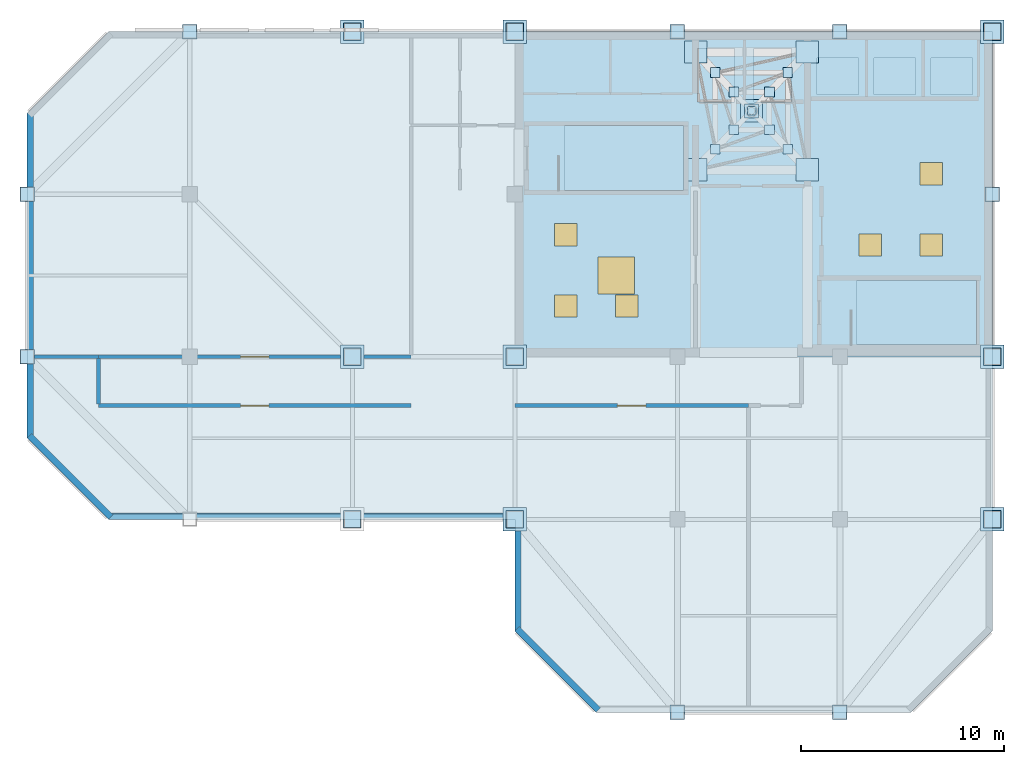
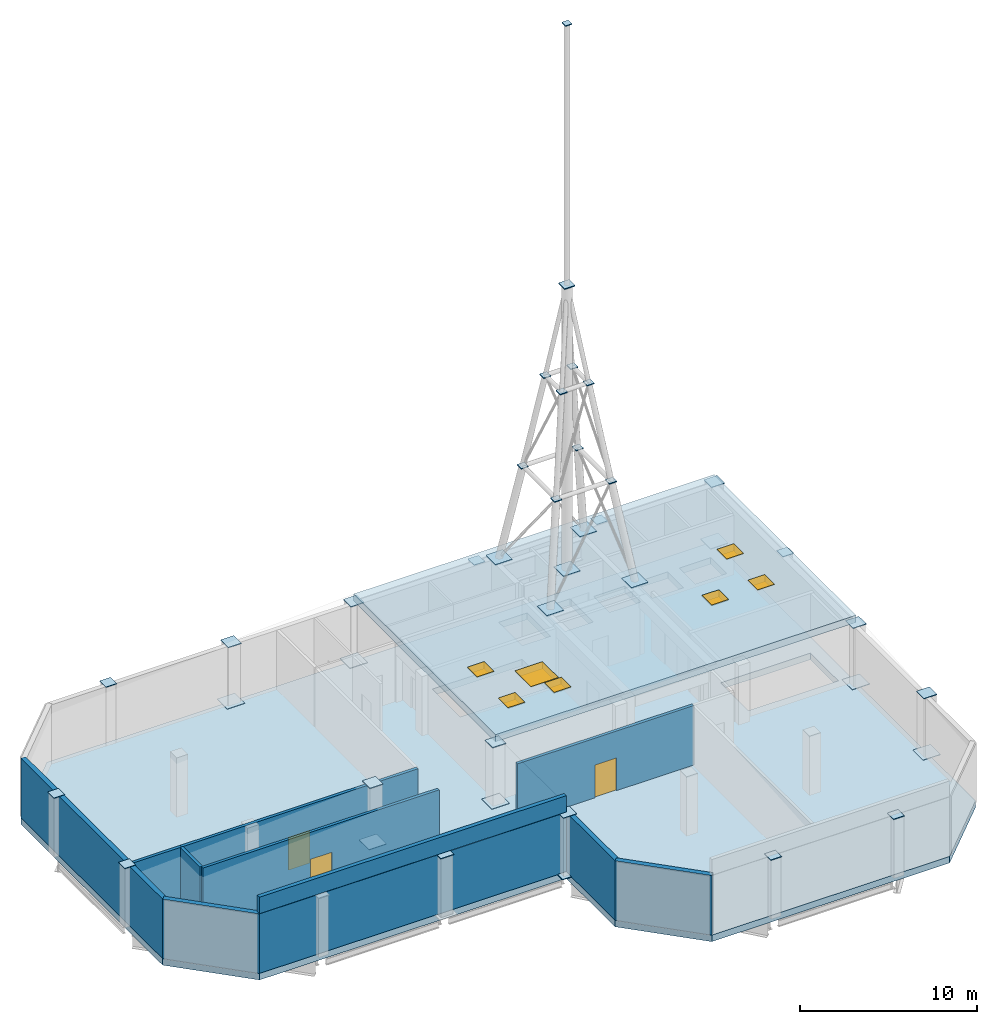
# One storey, part 4 of 7: 40 plates, 11 walls, 9 doors, 2 slabs, 1 window, 10 openings.
"""IFC4 building model written with IfcOpenShell, lengths in metres."""

from ifc_helpers import new_model, si_unit, direction, frame, frame_2d, origin, origin_2d, place, context, subcontext, project, spatial, polyline, rectangle, outline, extrude, material, layer, layer_set, type_object, element, fill, save


model = new_model("IFC4")

# Units and contexts
model_context = context("Model", 3, precision=1e-05, world=origin(), true_north=direction((0.0, 1.0)))
body_context = subcontext(model_context, "Body", "Model", "MODEL_VIEW")
ifc_project = project(units=[si_unit("LENGTHUNIT", "METRE"), si_unit("AREAUNIT", "SQUARE_METRE"), si_unit("VOLUMEUNIT", "CUBIC_METRE"), si_unit("PLANEANGLEUNIT", "RADIAN"), si_unit("MASSUNIT", "GRAM", prefix="KILO")], contexts=[model_context])

# Site, building, storey
site_placement = place(None, origin())
site = spatial("IfcSite", under=ifc_project, at=site_placement, CompositionType="ELEMENT")
building_placement = place(site_placement, origin())
building = spatial("IfcBuilding", under=site, at=building_placement, Name="Qianrong Seaharbour Tower", CompositionType="ELEMENT")
storey_placement = place(building_placement, frame((0.0, 0.0, 383.800048828125)))
storey = spatial("IfcBuildingStorey", under=building, at=storey_placement, Name="L92", CompositionType="ELEMENT", Elevation=383.800048828125)

# Plates
ifc_material_1 = material(Name="Structural steel SN490B", Category="steel")
ifc_layer_1 = layer(ifc_material_1, 0.044921875)
ifc_layer_set_1 = layer_set([ifc_layer_1], Name="Structural steel SN490B")
plate_type_1 = type_object("IfcPlateType", Name="PLT-COL-CAP-45", PredefinedType="SHEET", material=ifc_layer_set_1)
for number, where, z_axis, x_axis, name in (
    (1, (16.5, 36.0, 4.077392578125), (0.0, 0.0, 1.0), (1.0, 0.0, 0.0), "L92 Hollow Column Closure Cap Plate G3/GF"),
    (2, (16.5, 44.0, 4.077392578125), (0.0, 0.0, 1.0), (1.0, 0.0, 0.0), "L92 Hollow Column Closure Cap Plate G3/GG"),
    (3, (24.5, 52.0, 4.077392578125), (0.0, 0.0, 1.0), (1.0, 0.0, 0.0), "L92 Hollow Column Closure Cap Plate G4/GH"),
):
    element("IfcPlate", number, at=place(storey_placement, frame(where, z_axis=z_axis, x_axis=x_axis)), inside=storey, type_object=plate_type_1, Name=name, PredefinedType="SHEET", context=body_context, shape_type="SweptSolid", body=[
        extrude(rectangle(XDim=0.7099609375, YDim=0.7099609375, at=origin_2d()), origin(), (0.0, 0.0, 1.0), 0.044921875),
    ])
plate_1_placement = place(storey_placement, frame((32.5, 28.0, 4.077392578125), z_axis=(0.0, 0.0, 1.0), x_axis=(1.0, 0.0, 0.0)))
element("IfcPlate", 4, at=plate_1_placement, inside=storey, type_object=plate_type_1, Name="L92 Hollow Column Closure Cap Plate G5/GE", PredefinedType="SHEET", context=body_context, shape_type="SweptSolid", body=[
    extrude(rectangle(XDim=0.860107421875, YDim=0.860107421875, at=origin_2d()), origin(), (0.0, 0.0, 1.0), 0.044921875),
])
plate_2_placement = place(storey_placement, frame((32.5, 36.0, -0.0224609375), z_axis=(0.0, 0.0, 1.0), x_axis=(1.0, 0.0, 0.0)))
element("IfcPlate", 5, at=plate_2_placement, inside=storey, type_object=plate_type_1, Name="L92 Column Splice Cap Plate G5/GF", PredefinedType="SHEET", context=body_context, shape_type="SweptSolid", body=[
    extrude(rectangle(XDim=1.14990234375, YDim=1.14990234375, at=origin_2d()), origin(), (0.0, 0.0, 1.0), 0.044921875),
])
plate_3_placement = place(storey_placement, frame((32.5, 36.0, 4.077392578125), z_axis=(0.0, 0.0, 1.0), x_axis=(1.0, 0.0, 0.0)))
element("IfcPlate", 6, at=plate_3_placement, inside=storey, type_object=plate_type_1, Name="L92 Hollow Column Closure Cap Plate G5/GF", PredefinedType="SHEET", context=body_context, shape_type="SweptSolid", body=[
    extrude(rectangle(XDim=0.860107421875, YDim=0.860107421875, at=origin_2d()), origin(), (0.0, 0.0, 1.0), 0.044921875),
])
plate_4_placement = place(storey_placement, frame((32.5, 52.0, -0.0224609375), z_axis=(0.0, 0.0, 1.0), x_axis=(1.0, 0.0, 0.0)))
element("IfcPlate", 7, at=plate_4_placement, inside=storey, type_object=plate_type_1, Name="L92 Column Splice Cap Plate G5/GH", PredefinedType="SHEET", context=body_context, shape_type="SweptSolid", body=[
    extrude(rectangle(XDim=1.14990234375, YDim=1.14990234375, at=origin_2d()), origin(), (0.0, 0.0, 1.0), 0.044921875),
])
plate_5_placement = place(storey_placement, frame((32.5, 52.0, 4.077392578125), z_axis=(0.0, 0.0, 1.0), x_axis=(1.0, 0.0, 0.0)))
element("IfcPlate", 8, at=plate_5_placement, inside=storey, type_object=plate_type_1, Name="L92 Hollow Column Closure Cap Plate G5/GH", PredefinedType="SHEET", context=body_context, shape_type="SweptSolid", body=[
    extrude(rectangle(XDim=0.860107421875, YDim=0.860107421875, at=origin_2d()), origin(), (0.0, 0.0, 1.0), 0.044921875),
])
plate_6_placement = place(storey_placement, frame((40.5, 28.0, -0.0224609375), z_axis=(0.0, 0.0, 1.0), x_axis=(1.0, 0.0, 0.0)))
element("IfcPlate", 9, at=plate_6_placement, inside=storey, type_object=plate_type_1, Name="L92 Column Splice Cap Plate G6/GE", PredefinedType="SHEET", context=body_context, shape_type="SweptSolid", body=[
    extrude(rectangle(XDim=1.14990234375, YDim=1.14990234375, at=origin_2d()), origin(), (0.0, 0.0, 1.0), 0.044921875),
])
plate_7_placement = place(storey_placement, frame((40.5, 28.0, 4.077392578125), z_axis=(0.0, 0.0, 1.0), x_axis=(1.0, 0.0, 0.0)))
element("IfcPlate", 10, at=plate_7_placement, inside=storey, type_object=plate_type_1, Name="L92 Hollow Column Closure Cap Plate G6/GE", PredefinedType="SHEET", context=body_context, shape_type="SweptSolid", body=[
    extrude(rectangle(XDim=0.860107421875, YDim=0.860107421875, at=origin_2d()), origin(), (0.0, 0.0, 1.0), 0.044921875),
])
plate_8_placement = place(storey_placement, frame((40.5, 36.0, -0.0224609375), z_axis=(0.0, 0.0, 1.0), x_axis=(1.0, 0.0, 0.0)))
element("IfcPlate", 11, at=plate_8_placement, inside=storey, type_object=plate_type_1, Name="L92 Column Splice Cap Plate G6/GF", PredefinedType="SHEET", context=body_context, shape_type="SweptSolid", body=[
    extrude(rectangle(XDim=1.14990234375, YDim=1.14990234375, at=origin_2d()), origin(), (0.0, 0.0, 1.0), 0.044921875),
])
plate_9_placement = place(storey_placement, frame((40.5, 36.0, 4.077392578125), z_axis=(0.0, 0.0, 1.0), x_axis=(1.0, 0.0, 0.0)))
element("IfcPlate", 12, at=plate_9_placement, inside=storey, type_object=plate_type_1, Name="L92 Hollow Column Closure Cap Plate G6/GF", PredefinedType="SHEET", context=body_context, shape_type="SweptSolid", body=[
    extrude(rectangle(XDim=0.860107421875, YDim=0.860107421875, at=origin_2d()), origin(), (0.0, 0.0, 1.0), 0.044921875),
])
plate_10_placement = place(storey_placement, frame((40.5, 52.0, -0.0224609375), z_axis=(0.0, 0.0, 1.0), x_axis=(1.0, 0.0, 0.0)))
element("IfcPlate", 13, at=plate_10_placement, inside=storey, type_object=plate_type_1, Name="L92 Column Splice Cap Plate G6/GH", PredefinedType="SHEET", context=body_context, shape_type="SweptSolid", body=[
    extrude(rectangle(XDim=1.14990234375, YDim=1.14990234375, at=origin_2d()), origin(), (0.0, 0.0, 1.0), 0.044921875),
])
plate_11_placement = place(storey_placement, frame((40.5, 52.0, 4.077392578125), z_axis=(0.0, 0.0, 1.0), x_axis=(1.0, 0.0, 0.0)))
element("IfcPlate", 14, at=plate_11_placement, inside=storey, type_object=plate_type_1, Name="L92 Hollow Column Closure Cap Plate G6/GH", PredefinedType="SHEET", context=body_context, shape_type="SweptSolid", body=[
    extrude(rectangle(XDim=0.860107421875, YDim=0.860107421875, at=origin_2d()), origin(), (0.0, 0.0, 1.0), 0.044921875),
])
for number, where, z_axis, x_axis, name in (
    (15, (48.5, 18.5, 4.077392578125), (0.0, 0.0, 1.0), (1.0, 0.0, 0.0), "L92 Hollow Column Closure Cap Plate G7/GD"),
    (16, (48.5, 52.0, 4.077392578125), (0.0, 0.0, 1.0), (1.0, 0.0, 0.0), "L92 Hollow Column Closure Cap Plate G7/GH"),
    (17, (56.5, 18.5, 4.077392578125), (0.0, 0.0, 1.0), (1.0, 0.0, 0.0), "L92 Hollow Column Closure Cap Plate G8/GD"),
    (18, (56.5, 52.0, 4.077392578125), (0.0, 0.0, 1.0), (1.0, 0.0, 0.0), "L92 Hollow Column Closure Cap Plate G8/GH"),
):
    element("IfcPlate", number, at=place(storey_placement, frame(where, z_axis=z_axis, x_axis=x_axis)), inside=storey, type_object=plate_type_1, Name=name, PredefinedType="SHEET", context=body_context, shape_type="SweptSolid", body=[
        extrude(rectangle(XDim=0.7099609375, YDim=0.7099609375, at=origin_2d()), origin(), (0.0, 0.0, 1.0), 0.044921875),
    ])
plate_12_placement = place(storey_placement, frame((64.0, 28.0, -0.0224609375), z_axis=(0.0, 0.0, 1.0), x_axis=(1.0, 0.0, 0.0)))
element("IfcPlate", 19, at=plate_12_placement, inside=storey, type_object=plate_type_1, Name="L92 Column Splice Cap Plate G9/GE", PredefinedType="SHEET", context=body_context, shape_type="SweptSolid", body=[
    extrude(rectangle(XDim=1.14990234375, YDim=1.14990234375, at=origin_2d()), origin(), (0.0, 0.0, 1.0), 0.044921875),
])
plate_13_placement = place(storey_placement, frame((64.0, 28.0, 4.077392578125), z_axis=(0.0, 0.0, 1.0), x_axis=(1.0, 0.0, 0.0)))
element("IfcPlate", 20, at=plate_13_placement, inside=storey, type_object=plate_type_1, Name="L92 Hollow Column Closure Cap Plate G9/GE", PredefinedType="SHEET", context=body_context, shape_type="SweptSolid", body=[
    extrude(rectangle(XDim=0.860107421875, YDim=0.860107421875, at=origin_2d()), origin(), (0.0, 0.0, 1.0), 0.044921875),
])
plate_14_placement = place(storey_placement, frame((64.0, 36.0, -0.0224609375), z_axis=(0.0, 0.0, 1.0), x_axis=(1.0, 0.0, 0.0)))
element("IfcPlate", 21, at=plate_14_placement, inside=storey, type_object=plate_type_1, Name="L92 Column Splice Cap Plate G9/GF", PredefinedType="SHEET", context=body_context, shape_type="SweptSolid", body=[
    extrude(rectangle(XDim=1.14990234375, YDim=1.14990234375, at=origin_2d()), origin(), (0.0, 0.0, 1.0), 0.044921875),
])
plate_15_placement = place(storey_placement, frame((64.0, 36.0, 4.077392578125), z_axis=(0.0, 0.0, 1.0), x_axis=(1.0, 0.0, 0.0)))
element("IfcPlate", 22, at=plate_15_placement, inside=storey, type_object=plate_type_1, Name="L92 Hollow Column Closure Cap Plate G9/GF", PredefinedType="SHEET", context=body_context, shape_type="SweptSolid", body=[
    extrude(rectangle(XDim=0.860107421875, YDim=0.860107421875, at=origin_2d()), origin(), (0.0, 0.0, 1.0), 0.044921875),
])
plate_16_placement = place(storey_placement, frame((64.0, 44.0, 4.077392578125), z_axis=(0.0, 0.0, 1.0), x_axis=(1.0, 0.0, 0.0)))
element("IfcPlate", 23, at=plate_16_placement, inside=storey, type_object=plate_type_1, Name="L92 Hollow Column Closure Cap Plate G9/GG", PredefinedType="SHEET", context=body_context, shape_type="SweptSolid", body=[
    extrude(rectangle(XDim=0.7099609375, YDim=0.7099609375, at=origin_2d()), origin(), (0.0, 0.0, 1.0), 0.044921875),
])
plate_17_placement = place(storey_placement, frame((64.0, 52.0, -0.0224609375), z_axis=(0.0, 0.0, 1.0), x_axis=(1.0, 0.0, 0.0)))
element("IfcPlate", 24, at=plate_17_placement, inside=storey, type_object=plate_type_1, Name="L92 Column Splice Cap Plate G9/GH", PredefinedType="SHEET", context=body_context, shape_type="SweptSolid", body=[
    extrude(rectangle(XDim=1.14990234375, YDim=1.14990234375, at=origin_2d()), origin(), (0.0, 0.0, 1.0), 0.044921875),
])
plate_18_placement = place(storey_placement, frame((64.0, 52.0, 4.077392578125), z_axis=(0.0, 0.0, 1.0), x_axis=(1.0, 0.0, 0.0)))
element("IfcPlate", 25, at=plate_18_placement, inside=storey, type_object=plate_type_1, Name="L92 Hollow Column Closure Cap Plate G9/GH", PredefinedType="SHEET", context=body_context, shape_type="SweptSolid", body=[
    extrude(rectangle(XDim=0.860107421875, YDim=0.860107421875, at=origin_2d()), origin(), (0.0, 0.0, 1.0), 0.044921875),
])
ifc_material_2 = material(Name="Stainless steel SUS316L", Category="steel")
ifc_layer_2 = layer(ifc_material_2, 0.06494140625)
ifc_layer_set_2 = layer_set([ifc_layer_2], Name="Stainless steel SUS316L")
plate_type_2 = type_object("IfcPlateType", Name="PLT-SPIRE-BASE-65", PredefinedType="SHEET", material=ifc_layer_set_2)
for number, where, z_axis, x_axis, name in (
    (26, (49.39990234375, 45.199951171875, 4.5673828125), (0.0, 0.0, 1.0), (1.0, 0.0, 0.0), "Stainless Steel Spire Leg Base Plate SP-BP1 SW"),
    (27, (54.89990234375, 45.199951171875, 4.5673828125), (0.0, 0.0, 1.0), (1.0, 0.0, 0.0), "Stainless Steel Spire Leg Base Plate SP-BP1 SE"),
    (28, (49.39990234375, 51.0, 4.5673828125), (0.0, 0.0, 1.0), (1.0, 0.0, 0.0), "Stainless Steel Spire Leg Base Plate SP-BP1 NW"),
    (29, (54.89990234375, 51.0, 4.5673828125), (0.0, 0.0, 1.0), (1.0, 0.0, 0.0), "Stainless Steel Spire Leg Base Plate SP-BP1 NE"),
    (30, (52.14990234375, 48.10009765625, 4.5673828125), (0.0, 0.0, 1.0), (1.0, 0.0, 0.0), "Stainless Steel Spire Central Mast Base Plate SP-BP1"),
):
    element("IfcPlate", number, at=place(storey_placement, frame(where, z_axis=z_axis, x_axis=x_axis)), inside=storey, type_object=plate_type_2, Name=name, PredefinedType="SHEET", context=body_context, shape_type="SweptSolid", body=[
        extrude(rectangle(XDim=1.10009765625, YDim=1.10009765625, at=origin_2d()), origin(), (0.0, 0.0, 1.0), 0.06494140625),
    ])
plate_19_placement = place(storey_placement, frame((52.14990234375, 48.10009765625, 24.16748046875), z_axis=(0.0, 0.0, 1.0), x_axis=(1.0, 0.0, 0.0)))
element("IfcPlate", 31, at=plate_19_placement, inside=storey, type_object=plate_type_2, Name="Stainless Steel Spire Mast Splice Cap Plate SP-BP1 MID", PredefinedType="SHEET", context=body_context, shape_type="SweptSolid", body=[
    extrude(rectangle(XDim=0.679931640625, YDim=0.679931640625, at=origin_2d()), origin(), (0.0, 0.0, 1.0), 0.06494140625),
])
plate_20_placement = place(storey_placement, frame((52.14990234375, 48.10009765625, 42.16748046875), z_axis=(0.0, 0.0, 1.0), x_axis=(1.0, 0.0, 0.0)))
element("IfcPlate", 32, at=plate_20_placement, inside=storey, type_object=plate_type_2, Name="Stainless Steel Spire Mast Finial Closure Cap Plate SP-BP1 TOP", PredefinedType="SHEET", context=body_context, shape_type="SweptSolid", body=[
    extrude(rectangle(XDim=0.419921875, YDim=0.419921875, at=origin_2d()), origin(), (0.0, 0.0, 1.0), 0.06494140625),
])
for number, where, z_axis, x_axis, name in (
    (33, (50.362548828125, 46.215087890625, 11.16748046875), (0.0, 0.0, 1.0), (1.0, 0.0, 0.0), "Stainless Steel Spire Collar Node Plate T1 SW"),
    (34, (53.9375, 46.215087890625, 11.16748046875), (0.0, 0.0, 1.0), (1.0, 0.0, 0.0), "Stainless Steel Spire Collar Node Plate T1 SE"),
    (35, (50.362548828125, 49.985107421875, 11.16748046875), (0.0, 0.0, 1.0), (1.0, 0.0, 0.0), "Stainless Steel Spire Collar Node Plate T1 NW"),
    (36, (53.9375, 49.985107421875, 11.16748046875), (0.0, 0.0, 1.0), (1.0, 0.0, 0.0), "Stainless Steel Spire Collar Node Plate T1 NE"),
    (37, (51.27001953125, 47.172119140625, 17.66748046875), (0.0, 0.0, 1.0), (1.0, 0.0, 0.0), "Stainless Steel Spire Collar Node Plate T2 SW"),
    (38, (53.030029296875, 47.172119140625, 17.66748046875), (0.0, 0.0, 1.0), (1.0, 0.0, 0.0), "Stainless Steel Spire Collar Node Plate T2 SE"),
    (39, (51.27001953125, 49.028076171875, 17.66748046875), (0.0, 0.0, 1.0), (1.0, 0.0, 0.0), "Stainless Steel Spire Collar Node Plate T2 NW"),
    (40, (53.030029296875, 49.028076171875, 17.66748046875), (0.0, 0.0, 1.0), (1.0, 0.0, 0.0), "Stainless Steel Spire Collar Node Plate T2 NE"),
):
    element("IfcPlate", number, at=place(storey_placement, frame(where, z_axis=z_axis, x_axis=x_axis)), inside=storey, type_object=plate_type_2, Name=name, PredefinedType="SHEET", context=body_context, shape_type="SweptSolid", body=[
        extrude(rectangle(XDim=0.47998046875, YDim=0.47998046875, at=origin_2d()), origin(), (0.0, 0.0, 1.0), 0.06494140625),
    ])

# Slab, openings, doors, window
ifc_material_3 = material(Name="Concrete C60/75", Category="concrete")
ifc_layer_3 = layer(ifc_material_3, 0.5)
ifc_layer_set_3 = layer_set([ifc_layer_3], Name="Concrete C60/75")
slab_type_1 = type_object("IfcSlabType", Name="SLAB-CROWN-PLINTH-500", PredefinedType="USERDEFINED", material=ifc_layer_set_3)
slab_1_placement = place(storey_placement, frame((0.0, 0.0, 4.099853515625)))
slab_1 = element("IfcSlab", 41, at=slab_1_placement, inside=storey, type_object=slab_type_1, Name="L92 Crown Core Plinth Slab", ObjectType="PLINTH SLAB", PredefinedType="USERDEFINED", context=body_context, shape_type="SweptSolid", body=[
    extrude(outline(polyline([(40.5, 36.0), (64.0, 36.0), (64.0, 52.0), (40.5, 52.0), (40.5, 36.0)])), origin(), (0.0, 0.0, 1.0), 0.5),
])
opening_1_placement = place(slab_1_placement, frame((45.5, 40.0, -0.010009765625)))
opening_1 = element("IfcOpeningElement", 42, at=opening_1_placement, cuts=slab_1, Name="Opening SK-01", PredefinedType="OPENING", context=body_context, shape_type="SweptSolid", body=[
    extrude(rectangle(XDim=1.800048828125, YDim=1.800048828125, at=origin_2d()), origin(), (0.0, 0.0, 1.0), 0.52001953125),
])
opening_2_placement = place(slab_1_placement, frame((43.0, 38.5, -0.010009765625)))
opening_2 = element("IfcOpeningElement", 43, at=opening_2_placement, cuts=slab_1, Name="Opening RH-01", PredefinedType="OPENING", context=body_context, shape_type="SweptSolid", body=[
    extrude(rectangle(XDim=1.10009765625, YDim=1.10009765625, at=origin_2d()), origin(), (0.0, 0.0, 1.0), 0.52001953125),
])
opening_3_placement = place(slab_1_placement, frame((46.0, 38.5, -0.010009765625)))
opening_3 = element("IfcOpeningElement", 44, at=opening_3_placement, cuts=slab_1, Name="Opening RH-01", PredefinedType="OPENING", context=body_context, shape_type="SweptSolid", body=[
    extrude(rectangle(XDim=1.10009765625, YDim=1.10009765625, at=origin_2d()), origin(), (0.0, 0.0, 1.0), 0.52001953125),
])
opening_4_placement = place(slab_1_placement, frame((58.0, 41.5, -0.010009765625)))
opening_4 = element("IfcOpeningElement", 45, at=opening_4_placement, cuts=slab_1, Name="Opening RH-01", PredefinedType="OPENING", context=body_context, shape_type="SweptSolid", body=[
    extrude(rectangle(XDim=1.10009765625, YDim=1.10009765625, at=origin_2d()), origin(), (0.0, 0.0, 1.0), 0.52001953125),
])
opening_5_placement = place(slab_1_placement, frame((61.0, 41.5, -0.010009765625)))
opening_5 = element("IfcOpeningElement", 46, at=opening_5_placement, cuts=slab_1, Name="Opening RH-01", PredefinedType="OPENING", context=body_context, shape_type="SweptSolid", body=[
    extrude(rectangle(XDim=1.10009765625, YDim=1.10009765625, at=origin_2d()), origin(), (0.0, 0.0, 1.0), 0.52001953125),
])
opening_6_placement = place(slab_1_placement, frame((43.0, 42.0, -0.010009765625)))
opening_6 = element("IfcOpeningElement", 47, at=opening_6_placement, cuts=slab_1, Name="Opening RH-01", PredefinedType="OPENING", context=body_context, shape_type="SweptSolid", body=[
    extrude(rectangle(XDim=1.10009765625, YDim=1.10009765625, at=origin_2d()), origin(), (0.0, 0.0, 1.0), 0.52001953125),
])
opening_7_placement = place(slab_1_placement, frame((61.0, 45.0, -0.010009765625)))
opening_7 = element("IfcOpeningElement", 48, at=opening_7_placement, cuts=slab_1, Name="Opening RH-01", PredefinedType="OPENING", context=body_context, shape_type="SweptSolid", body=[
    extrude(rectangle(XDim=1.10009765625, YDim=1.10009765625, at=origin_2d()), origin(), (0.0, 0.0, 1.0), 0.52001953125),
])
ifc_material_4 = material(Name="Insulated aluminium smoke-vented roof access hatch", Category="aluminium")
door_type_1 = type_object("IfcDoorType", Name="DOOR-HATCH-ROOF-1100x1100", OperationType="SINGLE_SWING_LEFT", PredefinedType="TRAPDOOR", material=ifc_material_4)
door_1_placement = place(slab_1_placement, frame((43.0, 38.5, 0.449951171875)))
door_1 = element("IfcDoor", 49, at=door_1_placement, inside=storey, type_object=door_type_1, Name="L92 Smoke-Rated Crown Roof Access Hatch RH-01", OperationType="SINGLE_SWING_LEFT", OverallHeight=1.10009765625, OverallWidth=1.10009765625, PredefinedType="TRAPDOOR", context=body_context, shape_type="SweptSolid", body=[
    extrude(rectangle(XDim=1.10009765625, YDim=1.10009765625, at=origin_2d()), origin(), (0.0, 0.0, 1.0), 0.050048828125),
])
fill(opening_2, door_1)
door_2_placement = place(slab_1_placement, frame((46.0, 38.5, 0.449951171875)))
door_2 = element("IfcDoor", 50, at=door_2_placement, inside=storey, type_object=door_type_1, Name="L92 Smoke-Rated Crown Roof Access Hatch RH-02", OperationType="SINGLE_SWING_LEFT", OverallHeight=1.10009765625, OverallWidth=1.10009765625, PredefinedType="TRAPDOOR", context=body_context, shape_type="SweptSolid", body=[
    extrude(rectangle(XDim=1.10009765625, YDim=1.10009765625, at=origin_2d()), origin(), (0.0, 0.0, 1.0), 0.050048828125),
])
fill(opening_3, door_2)
door_3_placement = place(slab_1_placement, frame((58.0, 41.5, 0.449951171875)))
door_3 = element("IfcDoor", 51, at=door_3_placement, inside=storey, type_object=door_type_1, Name="L92 Smoke-Rated Crown Roof Access Hatch RH-03", OperationType="SINGLE_SWING_LEFT", OverallHeight=1.10009765625, OverallWidth=1.10009765625, PredefinedType="TRAPDOOR", context=body_context, shape_type="SweptSolid", body=[
    extrude(rectangle(XDim=1.10009765625, YDim=1.10009765625, at=origin_2d()), origin(), (0.0, 0.0, 1.0), 0.050048828125),
])
fill(opening_4, door_3)
door_4_placement = place(slab_1_placement, frame((61.0, 41.5, 0.449951171875)))
door_4 = element("IfcDoor", 52, at=door_4_placement, inside=storey, type_object=door_type_1, Name="L92 Smoke-Rated Crown Roof Access Hatch RH-04", OperationType="SINGLE_SWING_LEFT", OverallHeight=1.10009765625, OverallWidth=1.10009765625, PredefinedType="TRAPDOOR", context=body_context, shape_type="SweptSolid", body=[
    extrude(rectangle(XDim=1.10009765625, YDim=1.10009765625, at=origin_2d()), origin(), (0.0, 0.0, 1.0), 0.050048828125),
])
fill(opening_5, door_4)
door_5_placement = place(slab_1_placement, frame((43.0, 42.0, 0.449951171875)))
door_5 = element("IfcDoor", 53, at=door_5_placement, inside=storey, type_object=door_type_1, Name="L92 Smoke-Rated Crown Roof Access Hatch RH-05", OperationType="SINGLE_SWING_LEFT", OverallHeight=1.10009765625, OverallWidth=1.10009765625, PredefinedType="TRAPDOOR", context=body_context, shape_type="SweptSolid", body=[
    extrude(rectangle(XDim=1.10009765625, YDim=1.10009765625, at=origin_2d()), origin(), (0.0, 0.0, 1.0), 0.050048828125),
])
fill(opening_6, door_5)
door_6_placement = place(slab_1_placement, frame((61.0, 45.0, 0.449951171875)))
door_6 = element("IfcDoor", 54, at=door_6_placement, inside=storey, type_object=door_type_1, Name="L92 Smoke-Rated Crown Roof Access Hatch RH-06", OperationType="SINGLE_SWING_LEFT", OverallHeight=1.10009765625, OverallWidth=1.10009765625, PredefinedType="TRAPDOOR", context=body_context, shape_type="SweptSolid", body=[
    extrude(rectangle(XDim=1.10009765625, YDim=1.10009765625, at=origin_2d()), origin(), (0.0, 0.0, 1.0), 0.050048828125),
])
fill(opening_7, door_6)
ifc_material_5 = material(Name="Insulated low-e double glazing in thermally broken aluminium 6063-T6 frame", Category="aluminium")
window_type = type_object("IfcWindowType", Name="WIN-SKY-1800x1800", PartitioningType="SINGLE_PANEL", PredefinedType="SKYLIGHT", material=ifc_material_5)
window_placement = place(slab_1_placement, frame((45.5, 40.0, 0.449951171875)))
window = element("IfcWindow", 55, at=window_placement, inside=storey, type_object=window_type, Name="L92 Insulated Glass Skylight SK-06", OverallHeight=1.800048828125, OverallWidth=1.800048828125, PartitioningType="SINGLE_PANEL", PredefinedType="SKYLIGHT", context=body_context, shape_type="SweptSolid", body=[
    extrude(rectangle(XDim=1.800048828125, YDim=1.800048828125, at=origin_2d()), origin(), (0.0, 0.0, 1.0), 0.050048828125),
])
fill(opening_1, window)

# Slab
ifc_layer_4 = layer(ifc_material_3, 0.449951171875)
ifc_layer_set_4 = layer_set([ifc_layer_4], Name="Concrete C60/75")
slab_type_2 = type_object("IfcSlabType", Name="SLAB-TRANSFER-450", PredefinedType="FLOOR", material=ifc_layer_set_4)
slab_2_placement = place(storey_placement, frame((0.0, 0.0, -0.449951171875)))
element("IfcSlab", 56, at=slab_2_placement, inside=storey, type_object=slab_type_2, Name="L92 Structural Floor Slab", PredefinedType="FLOOR", context=body_context, shape_type="SweptSolid", body=[
    extrude(outline(polyline([(44.5, 18.5), (60.0, 18.5), (64.0, 22.5), (64.0, 52.0), (20.5, 52.0), (16.5, 48.0), (16.5, 32.0), (20.5, 28.0), (40.5, 28.0), (40.5, 22.5), (44.5, 18.5)]), holes=[polyline([(42.93994140625, 44.199951171875), (42.93994140625, 47.35009765625), (48.800048828125, 47.35009765625), (48.800048828125, 44.199951171875), (42.93994140625, 44.199951171875)]), polyline([(57.340087890625, 36.60009765625), (57.340087890625, 39.75), (63.199951171875, 39.75), (63.199951171875, 36.60009765625), (57.340087890625, 36.60009765625)]), polyline([(49.47998046875, 48.530029296875), (49.47998046875, 51.169921875), (51.320068359375, 51.169921875), (51.320068359375, 48.530029296875), (49.47998046875, 48.530029296875)]), polyline([(52.280029296875, 48.530029296875), (52.280029296875, 51.169921875), (54.1201171875, 51.169921875), (54.1201171875, 48.530029296875), (52.280029296875, 48.530029296875)]), polyline([(55.3798828125, 48.89990234375), (55.3798828125, 50.699951171875), (57.419921875, 50.699951171875), (57.419921875, 48.89990234375), (55.3798828125, 48.89990234375)]), polyline([(58.179931640625, 48.89990234375), (58.179931640625, 50.699951171875), (60.219970703125, 50.699951171875), (60.219970703125, 48.89990234375), (58.179931640625, 48.89990234375)]), polyline([(60.97998046875, 48.89990234375), (60.97998046875, 50.699951171875), (63.02001953125, 50.699951171875), (63.02001953125, 48.89990234375), (60.97998046875, 48.89990234375)])]), origin(), (0.0, 0.0, 1.0), 0.449951171875),
])

# Walls
ifc_material_6 = material(Name="White architectural precast concrete C45/55", Category="concrete")
ifc_layer_5 = layer(ifc_material_6, 0.31005859375)
ifc_layer_set_5 = layer_set([ifc_layer_5], Name="White architectural precast concrete C45/55")
wall_type_1 = type_object("IfcWallType", Name="WALL-EXT-CROWN-WHITE-310", PredefinedType="SOLIDWALL", material=ifc_layer_set_5)
wall_1_placement = place(storey_placement, frame((40.655029296875, 22.5, 0.0), z_axis=(0.0, 0.0, 1.0), x_axis=(0.0, 1.0, 0.0)))
element("IfcWall", 57, at=wall_1_placement, inside=storey, type_object=wall_type_1, Name="L92 Exterior Masonry Facade Wall REENTRANT_WEST", PredefinedType="SOLIDWALL", context=body_context, shape_type="SweptSolid", body=[
    extrude(rectangle(XDim=5.81005859375, YDim=0.31005859375, at=frame_2d((2.905029296875, 0.0))), origin(), (0.0, 0.0, 1.0), 4.099853515625),
])
wall_2_placement = place(storey_placement, frame((40.52001953125, 28.155029296875, 0.0), z_axis=(0.0, 0.0, 1.0), x_axis=(-1.0, 0.0, 0.0)))
element("IfcWall", 58, at=wall_2_placement, inside=storey, type_object=wall_type_1, Name="L92 Exterior Masonry Facade Wall HARBOUR_RIBBON", PredefinedType="SOLIDWALL", context=body_context, shape_type="SweptSolid", body=[
    extrude(rectangle(XDim=20.02001953125, YDim=0.31005859375, at=frame_2d((10.010009765625, 0.0))), origin(), (0.0, 0.0, 1.0), 4.099853515625),
])
wall_3_placement = place(storey_placement, frame((20.609619140625, 28.109619140625, 0.0), z_axis=(0.0, 0.0, 1.0), x_axis=(-0.707106781187, 0.707106781187, 0.0)))
element("IfcWall", 59, at=wall_3_placement, inside=storey, type_object=wall_type_1, Name="L92 Exterior Masonry Facade Wall E02", PredefinedType="SOLIDWALL", context=body_context, shape_type="SweptSolid", body=[
    extrude(rectangle(XDim=5.65673828125, YDim=0.31005859375, at=frame_2d((2.828369140625, 0.0))), origin(), (0.0, 0.0, 1.0), 4.099853515625),
])
wall_4_placement = place(storey_placement, frame((16.655029296875, 32.0, 0.0), z_axis=(0.0, 0.0, 1.0), x_axis=(0.0, 1.0, 0.0)))
element("IfcWall", 60, at=wall_4_placement, inside=storey, type_object=wall_type_1, Name="L92 Exterior Masonry Facade Wall WEST_TIP", PredefinedType="SOLIDWALL", context=body_context, shape_type="SweptSolid", body=[
    extrude(rectangle(XDim=16.0, YDim=0.31005859375, at=frame_2d((8.0, 0.0))), origin(), (0.0, 0.0, 1.0), 4.099853515625),
])
wall_5_placement = place(storey_placement, frame((44.609619140625, 18.609619140625, 0.0), z_axis=(0.0, 0.0, 1.0), x_axis=(-0.707106781187, 0.707106781187, 0.0)))
element("IfcWall", 61, at=wall_5_placement, inside=storey, type_object=wall_type_1, Name="L92 Exterior Masonry Facade Wall E09", PredefinedType="SOLIDWALL", context=body_context, shape_type="SweptSolid", body=[
    extrude(rectangle(XDim=5.65673828125, YDim=0.31005859375, at=frame_2d((2.828369140625, 0.0))), origin(), (0.0, 0.0, 1.0), 4.099853515625),
])

# Wall, opening, door
ifc_material_7 = material(Name="Double fire-rated gypsum board acoustic partition")
ifc_layer_6 = layer(ifc_material_7, 0.18994140625)
ifc_layer_set_6 = layer_set([ifc_layer_6], Name="Double fire-rated gypsum board acoustic partition")
wall_type_2 = type_object("IfcWallType", Name="WALL-FIRE-PART-190", PredefinedType="PARTITIONING", material=ifc_layer_set_6)
wall_6_placement = place(storey_placement, frame((20.0, 36.0, 0.0), z_axis=(0.0, 0.0, 1.0), x_axis=(1.0, 0.0, 0.0)))
wall_6 = element("IfcWall", 62, at=wall_6_placement, inside=storey, type_object=wall_type_2, Name="L92 Interior Partition Wall 012", PredefinedType="PARTITIONING", context=body_context, shape_type="SweptSolid", body=[
    extrude(rectangle(XDim=15.39990234375, YDim=0.18994140625, at=frame_2d((7.699951171875, 0.0))), origin(), (0.0, 0.0, 1.0), 4.099853515625),
])
opening_8_placement = place(wall_6_placement, frame((7.0, 0.0, 0.0)))
opening_8 = element("IfcOpeningElement", 63, at=opening_8_placement, cuts=wall_6, Name="Opening DP-01", PredefinedType="OPENING", context=body_context, shape_type="SweptSolid", body=[
    extrude(rectangle(XDim=1.39990234375, YDim=2.25, at=frame_2d((0.699951171875, 1.125))), frame((0.0, 0.10498046875, 0.0), z_axis=(0.0, -1.0, 0.0), x_axis=(1.0, 0.0, 0.0)), (0.0, 0.0, 1.0), 0.2099609375),
])
ifc_material_8 = material(Name="Acoustic timber and galvanized steel fire door assembly", Category="steel")
door_type_2 = type_object("IfcDoorType", Name="DOOR-PLANT-PAIR-1400x2250", OperationType="DOUBLE_DOOR_SINGLE_SWING", PredefinedType="DOOR", material=ifc_material_8)
door_7_placement = place(opening_8_placement, origin())
door_7 = element("IfcDoor", 64, at=door_7_placement, inside=storey, type_object=door_type_2, Name="L92 Mechanical Plant Room Door", OperationType="DOUBLE_DOOR_SINGLE_SWING", OverallHeight=2.25, OverallWidth=1.39990234375, PredefinedType="DOOR", context=body_context, shape_type="SweptSolid", body=[
    extrude(rectangle(XDim=1.39990234375, YDim=2.25, at=frame_2d((0.699951171875, 1.125))), frame((0.0, 0.02490234375, 0.0), z_axis=(0.0, -1.0, 0.0), x_axis=(1.0, 0.0, 0.0)), (0.0, 0.0, 1.0), 0.050048828125),
])
fill(opening_8, door_7)

wall_7_placement = place(storey_placement, frame((35.39990234375, 33.60009765625, 0.0), z_axis=(0.0, 0.0, 1.0), x_axis=(-1.0, 0.0, 0.0)))
wall_7 = element("IfcWall", 65, at=wall_7_placement, inside=storey, type_object=wall_type_2, Name="L92 Interior Partition Wall 013", PredefinedType="PARTITIONING", context=body_context, shape_type="SweptSolid", body=[
    extrude(rectangle(XDim=15.39990234375, YDim=0.18994140625, at=frame_2d((7.699951171875, 0.0))), origin(), (0.0, 0.0, 1.0), 4.099853515625),
])
opening_9_placement = place(wall_7_placement, frame((7.0, 0.0, 0.0)))
opening_9 = element("IfcOpeningElement", 66, at=opening_9_placement, cuts=wall_7, Name="Opening DP-01", PredefinedType="OPENING", context=body_context, shape_type="SweptSolid", body=[
    extrude(rectangle(XDim=1.39990234375, YDim=2.25, at=frame_2d((0.699951171875, 1.125))), frame((0.0, 0.10498046875, 0.0), z_axis=(0.0, -1.0, 0.0), x_axis=(1.0, 0.0, 0.0)), (0.0, 0.0, 1.0), 0.2099609375),
])
door_8_placement = place(opening_9_placement, origin())
door_8 = element("IfcDoor", 67, at=door_8_placement, inside=storey, type_object=door_type_2, Name="L92 Air Handling Fan Room Door", OperationType="DOUBLE_DOOR_SINGLE_SWING", OverallHeight=2.25, OverallWidth=1.39990234375, PredefinedType="DOOR", context=body_context, shape_type="SweptSolid", body=[
    extrude(rectangle(XDim=1.39990234375, YDim=2.25, at=frame_2d((0.699951171875, 1.125))), frame((0.0, 0.02490234375, 0.0), z_axis=(0.0, -1.0, 0.0), x_axis=(1.0, 0.0, 0.0)), (0.0, 0.0, 1.0), 0.050048828125),
])
fill(opening_9, door_8)

# Wall
wall_8_placement = place(storey_placement, frame((20.0, 33.68701171875, 0.0), z_axis=(0.0, 0.0, 1.0), x_axis=(0.0, 1.0, 0.0)))
element("IfcWall", 68, at=wall_8_placement, inside=storey, type_object=wall_type_2, Name="L92 Interior Partition Wall 014", PredefinedType="PARTITIONING", context=body_context, shape_type="SweptSolid", body=[
    extrude(rectangle(XDim=2.22607421875, YDim=0.18994140625, at=frame_2d((1.113037109375, 0.0))), origin(), (0.0, 0.0, 1.0), 4.099853515625),
])

# Wall, opening, door
wall_9_placement = place(storey_placement, frame((52.0, 33.60009765625, 0.0), z_axis=(0.0, 0.0, 1.0), x_axis=(-1.0, 0.0, 0.0)))
wall_9 = element("IfcWall", 69, at=wall_9_placement, inside=storey, type_object=wall_type_2, Name="L92 Interior Partition Wall 015", PredefinedType="PARTITIONING", context=body_context, shape_type="SweptSolid", body=[
    extrude(rectangle(XDim=11.5, YDim=0.18994140625, at=frame_2d((5.75, 0.0))), origin(), (0.0, 0.0, 1.0), 4.099853515625),
])
opening_10_placement = place(wall_9_placement, frame((5.050048828125, 0.0, 0.0)))
opening_10 = element("IfcOpeningElement", 70, at=opening_10_placement, cuts=wall_9, Name="Opening DP-01", PredefinedType="OPENING", context=body_context, shape_type="SweptSolid", body=[
    extrude(rectangle(XDim=1.39990234375, YDim=2.25, at=frame_2d((0.699951171875, 1.125))), frame((0.0, 0.10498046875, 0.0), z_axis=(0.0, -1.0, 0.0), x_axis=(1.0, 0.0, 0.0)), (0.0, 0.0, 1.0), 0.2099609375),
])
door_9_placement = place(opening_10_placement, origin())
door_9 = element("IfcDoor", 71, at=door_9_placement, inside=storey, type_object=door_type_2, Name="L92 Electrical Substation Door", OperationType="DOUBLE_DOOR_SINGLE_SWING", OverallHeight=2.25, OverallWidth=1.39990234375, PredefinedType="DOOR", context=body_context, shape_type="SweptSolid", body=[
    extrude(rectangle(XDim=1.39990234375, YDim=2.25, at=frame_2d((0.699951171875, 1.125))), frame((0.0, 0.02490234375, 0.0), z_axis=(0.0, -1.0, 0.0), x_axis=(1.0, 0.0, 0.0)), (0.0, 0.0, 1.0), 0.050048828125),
])
fill(opening_10, door_9)

# Walls
wall_10_placement = place(storey_placement, frame((20.0, 36.0, 0.0), z_axis=(0.0, 0.0, 1.0), x_axis=(-1.0, 0.0, 0.0)))
element("IfcWall", 72, at=wall_10_placement, inside=storey, type_object=wall_type_2, Name="L92 Interior Partition Wall 019", PredefinedType="PARTITIONING", context=body_context, shape_type="SweptSolid", body=[
    extrude(rectangle(XDim=3.197998046875, YDim=0.18994140625, at=frame_2d((1.59912109375, 0.0))), origin(), (0.0, 0.0, 1.0), 4.099853515625),
])
ifc_layer_7 = layer(ifc_material_6, 0.260009765625)
ifc_layer_set_7 = layer_set([ifc_layer_7], Name="White architectural precast concrete C45/55")
wall_type_3 = type_object("IfcWallType", Name="WALL-PARAPET-WHITE-260", PredefinedType="PARAPET", material=ifc_layer_set_7)
wall_11_placement = place(storey_placement, frame((20.5, 28.1298828125, 4.119873046875), z_axis=(0.0, 0.0, 1.0), x_axis=(1.0, 0.0, 0.0)))
element("IfcWall", 73, at=wall_11_placement, inside=storey, type_object=wall_type_3, Name="L92 Upturned White Precast Crown Crest Parapet West-Harbour", PredefinedType="PARAPET", context=body_context, shape_type="SweptSolid", body=[
    extrude(rectangle(XDim=20.0, YDim=0.260009765625, at=frame_2d((10.0, 0.0))), origin(), (0.0, 0.0, 1.0), 1.130126953125),
])

save(model, "model.ifc")
